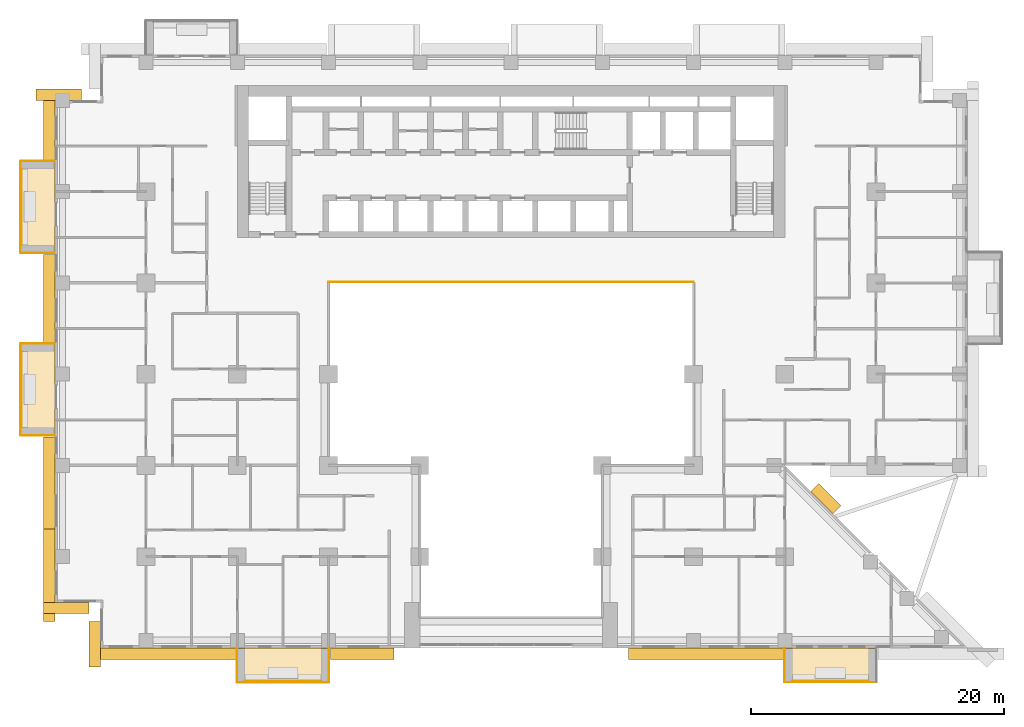
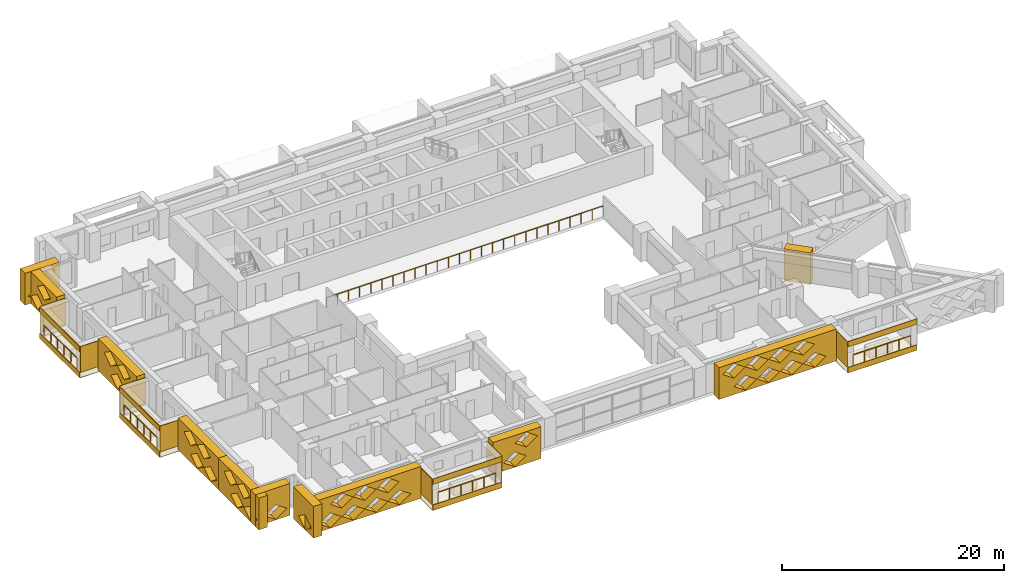
# One storey, part 14 of 17: 30 coverings, 5 railings.
"""IFC4 building model written with IfcOpenShell, lengths in metres."""

from ifc_helpers import new_model, si_unit, direction, frame, origin, origin_2d, place, context, subcontext, project, spatial, polyline, circle, outline, extrude, material, layer, layer_set, type_object, element, save


model = new_model("IFC4")

# Units and contexts
model_context = context("Model", 3, precision=1e-05, world=origin(), true_north=direction((0.0, 1.0)))
body_context = subcontext(model_context, "Body", "Model", "MODEL_VIEW")
ifc_project = project(units=[si_unit("LENGTHUNIT", "METRE"), si_unit("AREAUNIT", "SQUARE_METRE"), si_unit("VOLUMEUNIT", "CUBIC_METRE"), si_unit("PLANEANGLEUNIT", "RADIAN"), si_unit("MASSUNIT", "GRAM", prefix="KILO")], contexts=[model_context])

# Site, building, storey
site_placement = place(None, origin())
site = spatial("IfcSite", under=ifc_project, at=site_placement, CompositionType="ELEMENT")
building_placement = place(site_placement, origin())
building = spatial("IfcBuilding", under=site, at=building_placement, Name="Saffron Iwan Residences", CompositionType="ELEMENT")
storey_placement = place(building_placement, frame((0.0, 0.0, 34.0)))
storey = spatial("IfcBuildingStorey", under=building, at=storey_placement, Name="L07", CompositionType="ELEMENT", Elevation=34.0)

# Railings
ifc_material_1 = material(Name="Stainless steel 316", Category="steel")
railing_type_1 = type_object("IfcRailingType", Name="Atrium guard 1150", PredefinedType="GUARDRAIL", material=ifc_material_1)
railing_placement = place(storey_placement, frame((36.0, 62.47509765625, 0.0)))
element("IfcRailing", 1, at=railing_placement, inside=storey, type_object=railing_type_1, Name="Atrium guard L07", PredefinedType="GUARDRAIL", context=body_context, shape_type="SweptSolid", body=[
    extrude(circle(Radius=0.02392578125, at=origin_2d()), frame((0.0, 0.0, 1.1259765625), z_axis=(1.0, 0.0, 0.0), x_axis=(0.0, 1.0, 0.0)), (0.0, 0.0, 1.0), 28.800048828125),
    extrude(circle(Radius=0.02099609375, at=origin_2d()), origin(), (0.0, 0.0, 1.0), 1.101806640625),
    extrude(circle(Radius=0.02099609375, at=origin_2d()), frame((1.152099609375, 0.0, 0.0)), (0.0, 0.0, 1.0), 1.101806640625),
    extrude(circle(Radius=0.02099609375, at=origin_2d()), frame((2.303955078125, 0.0, 0.0)), (0.0, 0.0, 1.0), 1.101806640625),
    extrude(circle(Radius=0.02099609375, at=origin_2d()), frame((3.4560546875, 0.0, 0.0)), (0.0, 0.0, 1.0), 1.101806640625),
    extrude(circle(Radius=0.02099609375, at=origin_2d()), frame((4.60791015625, 0.0, 0.0)), (0.0, 0.0, 1.0), 1.101806640625),
    extrude(circle(Radius=0.02099609375, at=origin_2d()), frame((5.760009765625, 0.0, 0.0)), (0.0, 0.0, 1.0), 1.101806640625),
    extrude(circle(Radius=0.02099609375, at=origin_2d()), frame((6.912109375, 0.0, 0.0)), (0.0, 0.0, 1.0), 1.101806640625),
    extrude(circle(Radius=0.02099609375, at=origin_2d()), frame((8.06396484375, 0.0, 0.0)), (0.0, 0.0, 1.0), 1.101806640625),
    extrude(circle(Radius=0.02099609375, at=origin_2d()), frame((9.216064453125, 0.0, 0.0)), (0.0, 0.0, 1.0), 1.101806640625),
    extrude(circle(Radius=0.02099609375, at=origin_2d()), frame((10.367919921875, 0.0, 0.0)), (0.0, 0.0, 1.0), 1.101806640625),
    extrude(circle(Radius=0.02099609375, at=origin_2d()), frame((11.52001953125, 0.0, 0.0)), (0.0, 0.0, 1.0), 1.101806640625),
    extrude(circle(Radius=0.02099609375, at=origin_2d()), frame((12.672119140625, 0.0, 0.0)), (0.0, 0.0, 1.0), 1.101806640625),
    extrude(circle(Radius=0.02099609375, at=origin_2d()), frame((13.823974609375, 0.0, 0.0)), (0.0, 0.0, 1.0), 1.101806640625),
    extrude(circle(Radius=0.02099609375, at=origin_2d()), frame((14.97607421875, 0.0, 0.0)), (0.0, 0.0, 1.0), 1.101806640625),
    extrude(circle(Radius=0.02099609375, at=origin_2d()), frame((16.1279296875, 0.0, 0.0)), (0.0, 0.0, 1.0), 1.101806640625),
    extrude(circle(Radius=0.02099609375, at=origin_2d()), frame((17.280029296875, 0.0, 0.0)), (0.0, 0.0, 1.0), 1.101806640625),
    extrude(circle(Radius=0.02099609375, at=origin_2d()), frame((18.43212890625, 0.0, 0.0)), (0.0, 0.0, 1.0), 1.101806640625),
    extrude(circle(Radius=0.02099609375, at=origin_2d()), frame((19.583984375, 0.0, 0.0)), (0.0, 0.0, 1.0), 1.101806640625),
    extrude(circle(Radius=0.02099609375, at=origin_2d()), frame((20.736083984375, 0.0, 0.0)), (0.0, 0.0, 1.0), 1.101806640625),
    extrude(circle(Radius=0.02099609375, at=origin_2d()), frame((21.887939453125, 0.0, 0.0)), (0.0, 0.0, 1.0), 1.101806640625),
    extrude(circle(Radius=0.02099609375, at=origin_2d()), frame((23.0400390625, 0.0, 0.0)), (0.0, 0.0, 1.0), 1.101806640625),
    extrude(circle(Radius=0.02099609375, at=origin_2d()), frame((24.192138671875, 0.0, 0.0)), (0.0, 0.0, 1.0), 1.101806640625),
    extrude(circle(Radius=0.02099609375, at=origin_2d()), frame((25.343994140625, 0.0, 0.0)), (0.0, 0.0, 1.0), 1.101806640625),
    extrude(circle(Radius=0.02099609375, at=origin_2d()), frame((26.49609375, 0.0, 0.0)), (0.0, 0.0, 1.0), 1.101806640625),
    extrude(circle(Radius=0.02099609375, at=origin_2d()), frame((27.64794921875, 0.0, 0.0)), (0.0, 0.0, 1.0), 1.101806640625),
    extrude(circle(Radius=0.02099609375, at=origin_2d()), frame((28.800048828125, 0.0, 0.0)), (0.0, 0.0, 1.0), 1.101806640625),
])
railing_type_2 = type_object("IfcRailingType", Name="BALCONY GUARD 1150", PredefinedType="GUARDRAIL", material=ifc_material_1)
for number, where, name in (
    (2, (11.77490234375, 71.39990234375, 0.0), "Balcony guard L07 F8-0"),
    (3, (11.77490234375, 57.0, 0.0), "Balcony guard L07 F8-1"),
):
    element("IfcRailing", number, at=place(storey_placement, frame(where)), inside=storey, type_object=railing_type_2, Name=name, PredefinedType="GUARDRAIL", context=body_context, shape_type="SweptSolid", body=[
        extrude(circle(Radius=0.02392578125, at=origin_2d()), frame((0.0, 0.0, 1.1259765625), z_axis=(0.0, -1.0, 0.0), x_axis=(1.0, 0.0, 0.0)), (0.0, 0.0, 1.0), 6.0),
        extrude(circle(Radius=0.02099609375, at=origin_2d()), origin(), (0.0, 0.0, 1.0), 1.101806640625),
        extrude(circle(Radius=0.02099609375, at=origin_2d()), frame((0.0, -1.199951171875, 0.0)), (0.0, 0.0, 1.0), 1.101806640625),
        extrude(circle(Radius=0.02099609375, at=origin_2d()), frame((0.0, -2.39990234375, 0.0)), (0.0, 0.0, 1.0), 1.101806640625),
        extrude(circle(Radius=0.02099609375, at=origin_2d()), frame((0.0, -3.60009765625, 0.0)), (0.0, 0.0, 1.0), 1.101806640625),
        extrude(circle(Radius=0.02099609375, at=origin_2d()), frame((0.0, -4.800048828125, 0.0)), (0.0, 0.0, 1.0), 1.101806640625),
        extrude(circle(Radius=0.02099609375, at=origin_2d()), frame((0.0, -6.0, 0.0)), (0.0, 0.0, 1.0), 1.101806640625),
    ])
for number, where, name in (
    (4, (29.39990234375, 30.97509765625, 0.0), "Balcony guard L07 11-0"),
    (5, (72.60009765625, 30.97509765625, 0.0), "Balcony guard L07 11-1"),
):
    element("IfcRailing", number, at=place(storey_placement, frame(where)), inside=storey, type_object=railing_type_2, Name=name, PredefinedType="GUARDRAIL", context=body_context, shape_type="SweptSolid", body=[
        extrude(circle(Radius=0.02392578125, at=origin_2d()), frame((0.0, 0.0, 1.1259765625), z_axis=(1.0, 0.0, 0.0), x_axis=(0.0, 1.0, 0.0)), (0.0, 0.0, 1.0), 6.0),
        extrude(circle(Radius=0.02099609375, at=origin_2d()), origin(), (0.0, 0.0, 1.0), 1.101806640625),
        extrude(circle(Radius=0.02099609375, at=origin_2d()), frame((1.199951171875, 0.0, 0.0)), (0.0, 0.0, 1.0), 1.101806640625),
        extrude(circle(Radius=0.02099609375, at=origin_2d()), frame((2.39990234375, 0.0, 0.0)), (0.0, 0.0, 1.0), 1.101806640625),
        extrude(circle(Radius=0.02099609375, at=origin_2d()), frame((3.60009765625, 0.0, 0.0)), (0.0, 0.0, 1.0), 1.101806640625),
        extrude(circle(Radius=0.02099609375, at=origin_2d()), frame((4.800048828125, 0.0, 0.0)), (0.0, 0.0, 1.0), 1.101806640625),
        extrude(circle(Radius=0.02099609375, at=origin_2d()), frame((6.0, 0.0, 0.0)), (0.0, 0.0, 1.0), 1.101806640625),
    ])

# Coverings
ifc_material_2 = material(Name="Precast concrete C40/50 white painted", Category="concrete")
ifc_layer = layer(ifc_material_2, 0.050048828125)
ifc_layer_set = layer_set([ifc_layer], Name="Precast concrete C40/50 white painted")
covering_type_1 = type_object("IfcCoveringType", Name="FRAME SKIN PRECAST WHITE 50", PredefinedType="CLADDING", material=ifc_layer_set)
for number, where, name in (
    (6, (0.0, 0.0, -0.60009765625), "Frame skin slab edge L07 F8-0"),
    (7, (0.0, 0.0, 2.25), "Frame skin fascia L07 F8-0"),
):
    element("IfcCovering", number, at=place(storey_placement, frame(where)), inside=storey, type_object=covering_type_1, Name=name, PredefinedType="CLADDING", context=body_context, shape_type="SweptSolid", body=[
        extrude(outline(polyline([(11.64990234375, 72.0), (11.64990234375, 64.800048828125), (11.699951171875, 64.800048828125), (11.699951171875, 72.0), (11.64990234375, 72.0)])), origin(), (0.0, 0.0, 1.0), 0.60009765625),
    ])
covering_1_placement = place(storey_placement, frame((0.0, 0.0, -0.64990234375)))
element("IfcCovering", 8, at=covering_1_placement, inside=storey, type_object=covering_type_1, Name="Frame skin soffit L07 F8-0", PredefinedType="CLADDING", context=body_context, shape_type="SweptSolid", body=[
    extrude(outline(polyline([(11.699951171875, 72.0), (11.699951171875, 64.800048828125), (14.39990234375, 64.800048828125), (14.39990234375, 72.0), (11.699951171875, 72.0)])), origin(), (0.0, 0.0, 1.0), 0.0498046875),
])
covering_2_placement = place(storey_placement, origin())
element("IfcCovering", 9, at=covering_2_placement, inside=storey, type_object=covering_type_1, Name="Frame skin fin L07 F8-0a", PredefinedType="CLADDING", context=body_context, shape_type="SweptSolid", body=[
    extrude(outline(polyline([(11.699951171875, 72.050048828125), (11.699951171875, 72.0), (14.39990234375, 72.0), (14.39990234375, 72.050048828125), (11.699951171875, 72.050048828125)])), origin(), (0.0, 0.0, 1.0), 2.85009765625),
])
covering_3_placement = place(storey_placement, origin())
element("IfcCovering", 10, at=covering_3_placement, inside=storey, type_object=covering_type_1, Name="Frame skin fin L07 F8-0b", PredefinedType="CLADDING", context=body_context, shape_type="SweptSolid", body=[
    extrude(outline(polyline([(11.699951171875, 64.800048828125), (11.699951171875, 64.75), (14.39990234375, 64.75), (14.39990234375, 64.800048828125), (11.699951171875, 64.800048828125)])), origin(), (0.0, 0.0, 1.0), 2.85009765625),
])
for number, where, name in (
    (11, (0.0, 0.0, -0.60009765625), "Frame skin slab edge L07 F8-1"),
    (12, (0.0, 0.0, 2.25), "Frame skin fascia L07 F8-1"),
):
    element("IfcCovering", number, at=place(storey_placement, frame(where)), inside=storey, type_object=covering_type_1, Name=name, PredefinedType="CLADDING", context=body_context, shape_type="SweptSolid", body=[
        extrude(outline(polyline([(11.64990234375, 57.60009765625), (11.64990234375, 50.39990234375), (11.699951171875, 50.39990234375), (11.699951171875, 57.60009765625), (11.64990234375, 57.60009765625)])), origin(), (0.0, 0.0, 1.0), 0.60009765625),
    ])
covering_4_placement = place(storey_placement, frame((0.0, 0.0, -0.64990234375)))
element("IfcCovering", 13, at=covering_4_placement, inside=storey, type_object=covering_type_1, Name="Frame skin soffit L07 F8-1", PredefinedType="CLADDING", context=body_context, shape_type="SweptSolid", body=[
    extrude(outline(polyline([(11.699951171875, 57.60009765625), (11.699951171875, 50.39990234375), (14.39990234375, 50.39990234375), (14.39990234375, 57.60009765625), (11.699951171875, 57.60009765625)])), origin(), (0.0, 0.0, 1.0), 0.0498046875),
])
covering_5_placement = place(storey_placement, origin())
element("IfcCovering", 14, at=covering_5_placement, inside=storey, type_object=covering_type_1, Name="Frame skin fin L07 F8-1a", PredefinedType="CLADDING", context=body_context, shape_type="SweptSolid", body=[
    extrude(outline(polyline([(11.699951171875, 57.64990234375), (11.699951171875, 57.60009765625), (14.39990234375, 57.60009765625), (14.39990234375, 57.64990234375), (11.699951171875, 57.64990234375)])), origin(), (0.0, 0.0, 1.0), 2.85009765625),
])
covering_6_placement = place(storey_placement, origin())
element("IfcCovering", 15, at=covering_6_placement, inside=storey, type_object=covering_type_1, Name="Frame skin fin L07 F8-1b", PredefinedType="CLADDING", context=body_context, shape_type="SweptSolid", body=[
    extrude(outline(polyline([(11.699951171875, 50.39990234375), (11.699951171875, 50.35009765625), (14.39990234375, 50.35009765625), (14.39990234375, 50.39990234375), (11.699951171875, 50.39990234375)])), origin(), (0.0, 0.0, 1.0), 2.85009765625),
])
for number, where, name in (
    (16, (0.0, 0.0, -0.60009765625), "Frame skin slab edge L07 11-0"),
    (17, (0.0, 0.0, 2.25), "Frame skin fascia L07 11-0"),
):
    element("IfcCovering", number, at=place(storey_placement, frame(where)), inside=storey, type_object=covering_type_1, Name=name, PredefinedType="CLADDING", context=body_context, shape_type="SweptSolid", body=[
        extrude(outline(polyline([(28.800048828125, 30.85009765625), (36.0, 30.85009765625), (36.0, 30.89990234375), (28.800048828125, 30.89990234375), (28.800048828125, 30.85009765625)])), origin(), (0.0, 0.0, 1.0), 0.60009765625),
    ])
covering_7_placement = place(storey_placement, frame((0.0, 0.0, -0.64990234375)))
element("IfcCovering", 18, at=covering_7_placement, inside=storey, type_object=covering_type_1, Name="Frame skin soffit L07 11-0", PredefinedType="CLADDING", context=body_context, shape_type="SweptSolid", body=[
    extrude(outline(polyline([(28.800048828125, 30.89990234375), (36.0, 30.89990234375), (36.0, 33.60009765625), (28.800048828125, 33.60009765625), (28.800048828125, 30.89990234375)])), origin(), (0.0, 0.0, 1.0), 0.0498046875),
])
covering_8_placement = place(storey_placement, origin())
element("IfcCovering", 19, at=covering_8_placement, inside=storey, type_object=covering_type_1, Name="Frame skin fin L07 11-0a", PredefinedType="CLADDING", context=body_context, shape_type="SweptSolid", body=[
    extrude(outline(polyline([(28.75, 30.89990234375), (28.800048828125, 30.89990234375), (28.800048828125, 33.60009765625), (28.75, 33.60009765625), (28.75, 30.89990234375)])), origin(), (0.0, 0.0, 1.0), 2.85009765625),
])
covering_9_placement = place(storey_placement, origin())
element("IfcCovering", 20, at=covering_9_placement, inside=storey, type_object=covering_type_1, Name="Frame skin fin L07 11-0b", PredefinedType="CLADDING", context=body_context, shape_type="SweptSolid", body=[
    extrude(outline(polyline([(36.0, 30.89990234375), (36.050048828125, 30.89990234375), (36.050048828125, 33.60009765625), (36.0, 33.60009765625), (36.0, 30.89990234375)])), origin(), (0.0, 0.0, 1.0), 2.85009765625),
])
for number, where, name in (
    (21, (0.0, 0.0, -0.60009765625), "Frame skin slab edge L07 11-1"),
    (22, (0.0, 0.0, 2.25), "Frame skin fascia L07 11-1"),
):
    element("IfcCovering", number, at=place(storey_placement, frame(where)), inside=storey, type_object=covering_type_1, Name=name, PredefinedType="CLADDING", context=body_context, shape_type="SweptSolid", body=[
        extrude(outline(polyline([(72.0, 30.85009765625), (79.199951171875, 30.85009765625), (79.199951171875, 30.89990234375), (72.0, 30.89990234375), (72.0, 30.85009765625)])), origin(), (0.0, 0.0, 1.0), 0.60009765625),
    ])
covering_10_placement = place(storey_placement, frame((0.0, 0.0, -0.64990234375)))
element("IfcCovering", 23, at=covering_10_placement, inside=storey, type_object=covering_type_1, Name="Frame skin soffit L07 11-1", PredefinedType="CLADDING", context=body_context, shape_type="SweptSolid", body=[
    extrude(outline(polyline([(72.0, 30.89990234375), (79.199951171875, 30.89990234375), (79.199951171875, 33.60009765625), (72.0, 33.60009765625), (72.0, 30.89990234375)])), origin(), (0.0, 0.0, 1.0), 0.0498046875),
])
covering_11_placement = place(storey_placement, origin())
element("IfcCovering", 24, at=covering_11_placement, inside=storey, type_object=covering_type_1, Name="Frame skin fin L07 11-1a", PredefinedType="CLADDING", context=body_context, shape_type="SweptSolid", body=[
    extrude(outline(polyline([(71.949951171875, 30.89990234375), (72.0, 30.89990234375), (72.0, 33.60009765625), (71.949951171875, 33.60009765625), (71.949951171875, 30.89990234375)])), origin(), (0.0, 0.0, 1.0), 2.85009765625),
])
ifc_material_3 = material(Name="Precast concrete C40/50", Category="concrete")
covering_type_2 = type_object("IfcCoveringType", Name="OUTER SKIN LATTICE SCREEN", PredefinedType="CLADDING", material=ifc_material_3)
covering_12_placement = place(storey_placement, frame((75.805908203125, 44.194091796875, -0.320068359375), z_axis=(0.707106781187, 0.707106781187, 0.0), x_axis=(-0.707106781187, 0.707106781187, 0.0)))
element("IfcCovering", 25, at=covering_12_placement, inside=storey, type_object=covering_type_2, Name="OUTER SKIN lattice screen L07 F0.1", PredefinedType="CLADDING", context=body_context, shape_type="SweptSolid", body=[
    extrude(outline(polyline([(0.0, 0.0), (2.4853515625, 0.0), (2.4853515625, 3.5), (0.0, 3.5), (0.0, 0.0)])), origin(), (0.0, 0.0, 1.0), 0.900146484375),
])
covering_13_placement = place(storey_placement, frame((16.5, 76.800048828125, -0.320068359375), z_axis=(0.0, 1.0, 0.0), x_axis=(-1.0, 0.0, 0.0)))
element("IfcCovering", 26, at=covering_13_placement, inside=storey, type_object=covering_type_2, Name="OUTER SKIN lattice screen L07 F7.0", PredefinedType="CLADDING", context=body_context, shape_type="SweptSolid", body=[
    extrude(outline(polyline([(0.0, 0.0), (3.60009765625, 0.0), (3.60009765625, 3.5), (0.0, 3.5), (0.0, 0.0)]), holes=[polyline([(0.919921875, 0.875), (2.10009765625, 0.06005859375), (3.280029296875, 0.875), (2.10009765625, 1.68994140625), (0.919921875, 0.875)])]), origin(), (0.0, 0.0, 1.0), 0.89990234375),
])
covering_14_placement = place(storey_placement, frame((14.39990234375, 77.699951171875, -0.320068359375), z_axis=(-1.0, 0.0, 0.0), x_axis=(0.0, -1.0, 0.0)))
element("IfcCovering", 27, at=covering_14_placement, inside=storey, type_object=covering_type_2, Name="OUTER SKIN lattice screen L07 F8.0", PredefinedType="CLADDING", context=body_context, shape_type="SweptSolid", body=[
    extrude(outline(polyline([(0.0, 0.0), (5.550048828125, 0.0), (5.550048828125, 3.5), (0.0, 3.5), (0.0, 0.0)]), holes=[polyline([(0.919921875, 0.875), (2.10009765625, 0.06005859375), (3.280029296875, 0.875), (2.10009765625, 1.68994140625), (0.919921875, 0.875)]), polyline([(2.1201171875, 2.625), (3.300048828125, 1.81005859375), (4.47998046875, 2.625), (3.300048828125, 3.43994140625), (2.1201171875, 2.625)])]), origin(), (0.0, 0.0, 1.0), 0.89990234375),
])
covering_15_placement = place(storey_placement, frame((14.39990234375, 64.64990234375, -0.320068359375), z_axis=(-1.0, 0.0, 0.0), x_axis=(0.0, -1.0, 0.0)))
element("IfcCovering", 28, at=covering_15_placement, inside=storey, type_object=covering_type_2, Name="OUTER SKIN lattice screen L07 F8.1", PredefinedType="CLADDING", context=body_context, shape_type="SweptSolid", body=[
    extrude(outline(polyline([(0.0, 0.0), (6.89990234375, 0.0), (6.89990234375, 3.5), (0.0, 3.5), (0.0, 0.0)]), holes=[polyline([(2.27001953125, 0.875), (3.449951171875, 0.06005859375), (4.6298828125, 0.875), (3.449951171875, 1.68994140625), (2.27001953125, 0.875)]), polyline([(1.070068359375, 2.625), (2.25, 1.81005859375), (3.429931640625, 2.625), (2.25, 3.43994140625), (1.070068359375, 2.625)]), polyline([(3.469970703125, 2.625), (4.64990234375, 1.81005859375), (5.830078125, 2.625), (4.64990234375, 3.43994140625), (3.469970703125, 2.625)])]), origin(), (0.0, 0.0, 1.0), 0.89990234375),
])
covering_16_placement = place(storey_placement, frame((14.39990234375, 50.25, -0.320068359375), z_axis=(-1.0, 0.0, 0.0), x_axis=(0.0, -1.0, 0.0)))
element("IfcCovering", 29, at=covering_16_placement, inside=storey, type_object=covering_type_2, Name="OUTER SKIN lattice screen L07 F8.2", PredefinedType="CLADDING", context=body_context, shape_type="SweptSolid", body=[
    extrude(outline(polyline([(0.0, 0.0), (7.27490234375, 0.0), (7.27490234375, 3.5), (0.0, 3.5), (0.0, 0.0)]), holes=[polyline([(2.27001953125, 0.875), (3.449951171875, 0.06005859375), (4.6298828125, 0.875), (3.449951171875, 1.68994140625), (2.27001953125, 0.875)]), polyline([(4.669921875, 0.875), (5.85009765625, 0.06005859375), (7.030029296875, 0.875), (5.85009765625, 1.68994140625), (4.669921875, 0.875)]), polyline([(1.070068359375, 2.625), (2.25, 1.81005859375), (3.429931640625, 2.625), (2.25, 3.43994140625), (1.070068359375, 2.625)]), polyline([(3.469970703125, 2.625), (4.64990234375, 1.81005859375), (5.830078125, 2.625), (4.64990234375, 3.43994140625), (3.469970703125, 2.625)])]), origin(), (0.0, 0.0, 1.0), 0.89990234375),
])
covering_17_placement = place(storey_placement, frame((14.39990234375, 42.97509765625, -0.320068359375), z_axis=(-1.0, 0.0, 0.0), x_axis=(0.0, -1.0, 0.0)))
element("IfcCovering", 30, at=covering_17_placement, inside=storey, type_object=covering_type_2, Name="OUTER SKIN lattice screen L07 F8.3", PredefinedType="CLADDING", context=body_context, shape_type="SweptSolid", body=[
    extrude(outline(polyline([(0.0, 0.0), (7.27490234375, 0.0), (7.27490234375, 3.5), (0.0, 3.5), (0.0, 0.0)]), holes=[polyline([(2.195068359375, 0.875), (3.375, 0.06005859375), (4.554931640625, 0.875), (3.375, 1.68994140625), (2.195068359375, 0.875)]), polyline([(4.594970703125, 0.875), (5.77490234375, 0.06005859375), (6.955078125, 0.875), (5.77490234375, 1.68994140625), (4.594970703125, 0.875)]), polyline([(0.9951171875, 2.625), (2.175048828125, 1.81005859375), (3.35498046875, 2.625), (2.175048828125, 3.43994140625), (0.9951171875, 2.625)]), polyline([(3.39501953125, 2.625), (4.574951171875, 1.81005859375), (5.7548828125, 2.625), (4.574951171875, 3.43994140625), (3.39501953125, 2.625)])]), origin(), (0.0, 0.0, 1.0), 0.89990234375),
])
for number, where, z_axis, x_axis, name in (
    (31, (13.5, 37.199951171875, -0.320068359375), (0.0, -1.0, 0.0), (1.0, 0.0, 0.0), "OUTER SKIN lattice screen L07 F9.0"),
    (32, (18.0, 35.699951171875, -0.320068359375), (-1.0, 0.0, 0.0), (0.0, -1.0, 0.0), "OUTER SKIN lattice screen L07 F10.0"),
):
    element("IfcCovering", number, at=place(storey_placement, frame(where, z_axis=z_axis, x_axis=x_axis)), inside=storey, type_object=covering_type_2, Name=name, PredefinedType="CLADDING", context=body_context, shape_type="SweptSolid", body=[
        extrude(outline(polyline([(0.0, 0.0), (3.60009765625, 0.0), (3.60009765625, 3.5), (0.0, 3.5), (0.0, 0.0)]), holes=[polyline([(0.919921875, 0.875), (2.10009765625, 0.06005859375), (3.280029296875, 0.875), (2.10009765625, 1.68994140625), (0.919921875, 0.875)])]), origin(), (0.0, 0.0, 1.0), 0.89990234375),
    ])
covering_18_placement = place(storey_placement, frame((17.10009765625, 33.60009765625, -0.320068359375), z_axis=(0.0, -1.0, 0.0), x_axis=(1.0, 0.0, 0.0)))
element("IfcCovering", 33, at=covering_18_placement, inside=storey, type_object=covering_type_2, Name="OUTER SKIN lattice screen L07 F11.0", PredefinedType="CLADDING", context=body_context, shape_type="SweptSolid", body=[
    extrude(outline(polyline([(0.0, 0.0), (11.550048828125, 0.0), (11.550048828125, 3.5), (0.0, 3.5), (0.0, 0.0)]), holes=[polyline([(0.919921875, 0.875), (2.10009765625, 0.06005859375), (3.280029296875, 0.875), (2.10009765625, 1.68994140625), (0.919921875, 0.875)]), polyline([(3.320068359375, 0.875), (4.5, 0.06005859375), (5.679931640625, 0.875), (4.5, 1.68994140625), (3.320068359375, 0.875)]), polyline([(5.719970703125, 0.875), (6.89990234375, 0.06005859375), (8.080078125, 0.875), (6.89990234375, 1.68994140625), (5.719970703125, 0.875)]), polyline([(8.1201171875, 0.875), (9.300048828125, 0.06005859375), (10.47998046875, 0.875), (9.300048828125, 1.68994140625), (8.1201171875, 0.875)]), polyline([(2.1201171875, 2.625), (3.300048828125, 1.81005859375), (4.47998046875, 2.625), (3.300048828125, 3.43994140625), (2.1201171875, 2.625)]), polyline([(4.52001953125, 2.625), (5.699951171875, 1.81005859375), (6.8798828125, 2.625), (5.699951171875, 3.43994140625), (4.52001953125, 2.625)]), polyline([(6.919921875, 2.625), (8.10009765625, 1.81005859375), (9.280029296875, 2.625), (8.10009765625, 3.43994140625), (6.919921875, 2.625)])]), origin(), (0.0, 0.0, 1.0), 0.900146484375),
])
covering_19_placement = place(storey_placement, frame((36.14990234375, 33.60009765625, -0.320068359375), z_axis=(0.0, -1.0, 0.0), x_axis=(1.0, 0.0, 0.0)))
element("IfcCovering", 34, at=covering_19_placement, inside=storey, type_object=covering_type_2, Name="OUTER SKIN lattice screen L07 F11.1", PredefinedType="CLADDING", context=body_context, shape_type="SweptSolid", body=[
    extrude(outline(polyline([(0.0, 0.0), (5.0, 0.0), (5.0, 3.5), (0.0, 3.5), (0.0, 0.0)]), holes=[polyline([(1.070068359375, 0.875), (2.25, 0.06005859375), (3.429931640625, 0.875), (2.25, 1.68994140625), (1.070068359375, 0.875)]), polyline([(2.27001953125, 2.625), (3.449951171875, 1.81005859375), (4.6298828125, 2.625), (3.449951171875, 3.43994140625), (2.27001953125, 2.625)])]), origin(), (0.0, 0.0, 1.0), 0.900146484375),
])
covering_20_placement = place(storey_placement, frame((59.64990234375, 33.60009765625, -0.320068359375), z_axis=(0.0, -1.0, 0.0), x_axis=(1.0, 0.0, 0.0)))
element("IfcCovering", 35, at=covering_20_placement, inside=storey, type_object=covering_type_2, Name="OUTER SKIN lattice screen L07 F11.2", PredefinedType="CLADDING", context=body_context, shape_type="SweptSolid", body=[
    extrude(outline(polyline([(0.0, 0.0), (12.199951171875, 0.0), (12.199951171875, 3.5), (0.0, 3.5), (0.0, 0.0)]), holes=[polyline([(1.570068359375, 0.875), (2.75, 0.06005859375), (3.929931640625, 0.875), (2.75, 1.68994140625), (1.570068359375, 0.875)]), polyline([(3.969970703125, 0.875), (5.14990234375, 0.06005859375), (6.330078125, 0.875), (5.14990234375, 1.68994140625), (3.969970703125, 0.875)]), polyline([(6.3701171875, 0.875), (7.550048828125, 0.06005859375), (8.72998046875, 0.875), (7.550048828125, 1.68994140625), (6.3701171875, 0.875)]), polyline([(8.77001953125, 0.875), (9.949951171875, 0.06005859375), (11.1298828125, 0.875), (9.949951171875, 1.68994140625), (8.77001953125, 0.875)]), polyline([(0.3701171875, 2.625), (1.550048828125, 1.81005859375), (2.72998046875, 2.625), (1.550048828125, 3.43994140625), (0.3701171875, 2.625)]), polyline([(2.77001953125, 2.625), (3.949951171875, 1.81005859375), (5.1298828125, 2.625), (3.949951171875, 3.43994140625), (2.77001953125, 2.625)]), polyline([(5.169921875, 2.625), (6.35009765625, 1.81005859375), (7.530029296875, 2.625), (6.35009765625, 3.43994140625), (5.169921875, 2.625)]), polyline([(7.570068359375, 2.625), (8.75, 1.81005859375), (9.929931640625, 2.625), (8.75, 3.43994140625), (7.570068359375, 2.625)])]), origin(), (0.0, 0.0, 1.0), 0.900146484375),
])

save(model, "model.ifc")
